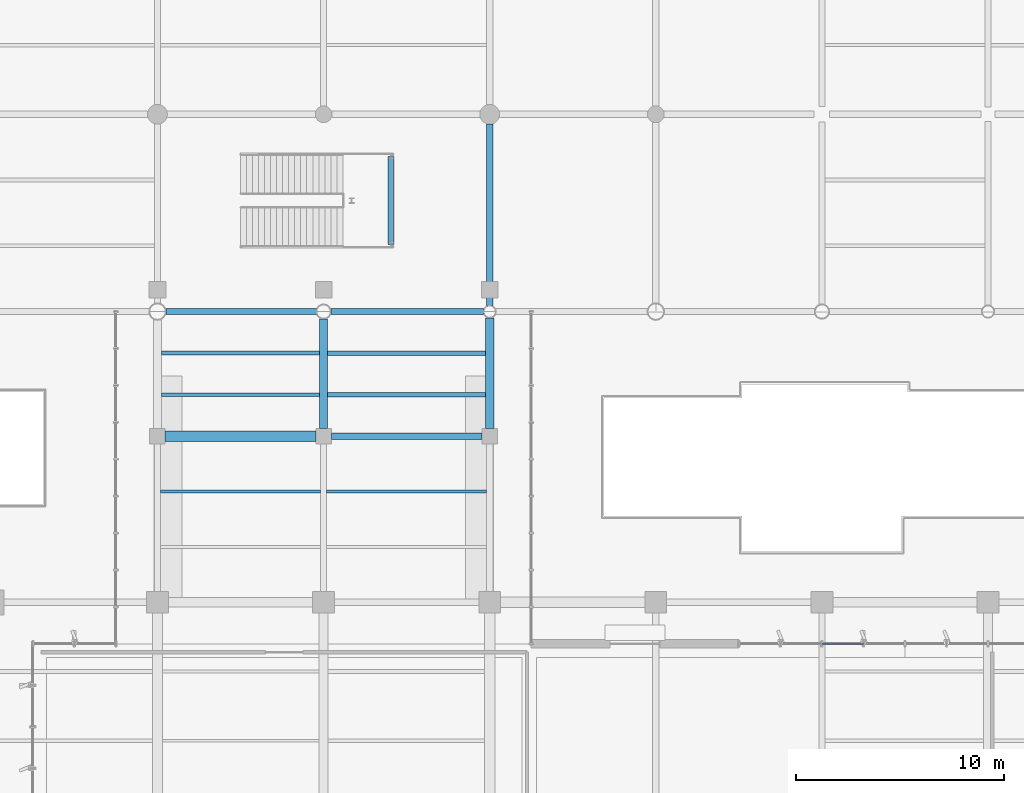
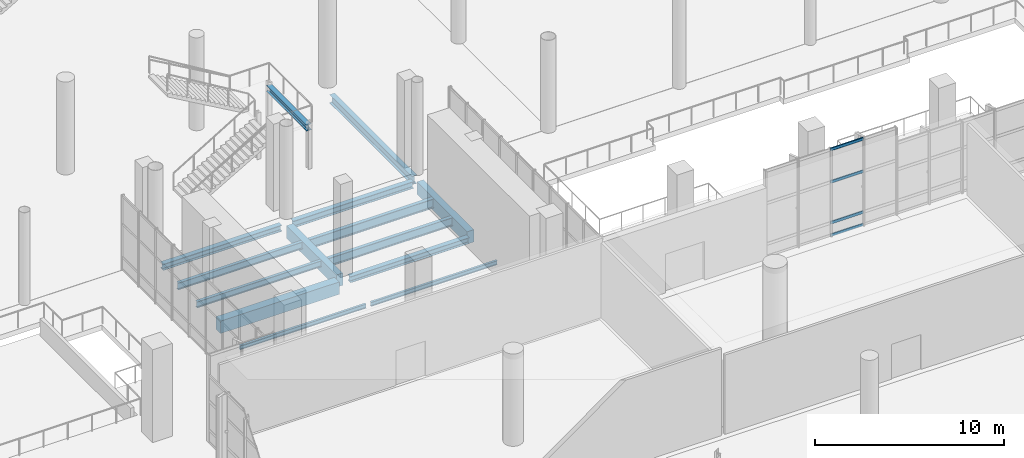
# One storey, part 69 of 163: 14 beams, 4 members, 1 element without a shape of its own.
"""IFC4 building model written with IfcOpenShell, lengths in metres."""

from ifc_helpers import new_model, si_unit, direction, frame, origin, origin_2d, place, context, subcontext, project, spatial, rectangle, hollow_rectangle, i_section, extrude, material, layer, layer_set, material_profile, profile_set, type_object, element, aggregate, save


model = new_model("IFC4")

# Units and contexts
model_context = context("Model", 3, precision=1e-05, world=origin(), true_north=direction((0.0, 1.0)))
body_context = subcontext(model_context, "Body", "Model", "MODEL_VIEW")
ifc_project = project(units=[si_unit("LENGTHUNIT", "METRE"), si_unit("AREAUNIT", "SQUARE_METRE"), si_unit("VOLUMEUNIT", "CUBIC_METRE"), si_unit("PLANEANGLEUNIT", "RADIAN"), si_unit("MASSUNIT", "GRAM", prefix="KILO")], contexts=[model_context])

# Site, building, storey
site_placement = place(None, origin())
site = spatial("IfcSite", under=ifc_project, at=site_placement, CompositionType="ELEMENT")
building_placement = place(site_placement, origin())
building = spatial("IfcBuilding", under=site, at=building_placement, Name="Khorjan Park Terminus", CompositionType="ELEMENT")
storey_placement = place(building_placement, origin())
storey = spatial("IfcBuildingStorey", under=building, at=storey_placement, Name="L00", CompositionType="ELEMENT", Elevation=0.0)

# Beams
ifc_material_1 = material(Name="Steel S355", Category="steel")
ifc_material_profile_1 = material_profile(ifc_material_1, i_section(OverallWidth=0.3, OverallDepth=0.39, WebThickness=0.011, FlangeThickness=0.019, FilletRadius=0.027, at=origin_2d()), Name="HEA 400")
ifc_profile_set_1 = profile_set([ifc_material_profile_1], Name="Steel S355")
beam_type_1 = type_object("IfcBeamType", Name="BM-HEA400", PredefinedType="BEAM", material=ifc_profile_set_1)
beam_1_placement = place(storey_placement, frame((64.37, 96.0, -0.555), z_axis=(1.0, 0.0, 0.0), x_axis=(0.0, 1.0, 0.0)))
element("IfcBeam", 1, at=beam_1_placement, inside=storey, type_object=beam_type_1, Name="Primary floor girder SB-A40 (L00)", PredefinedType="BEAM", context=body_context, shape_type="SweptSolid", body=[
    extrude(i_section(OverallWidth=0.3, OverallDepth=0.39, WebThickness=0.011, FlangeThickness=0.019, FilletRadius=0.027, at=origin_2d()), origin(), (0.0, 0.0, 1.0), 7.26),
])
beam_2_placement = place(storey_placement, frame((67.25, 105.22, 2.605), z_axis=(0.0, 1.0, 0.0), x_axis=(-1.0, 0.0, 0.0)))
element("IfcBeam", 2, at=beam_2_placement, inside=storey, type_object=beam_type_1, Name="Stair PS-01 half-landing support beam SB-A40", PredefinedType="BEAM", context=body_context, shape_type="SweptSolid", body=[
    extrude(i_section(OverallWidth=0.3, OverallDepth=0.39, WebThickness=0.011, FlangeThickness=0.019, FilletRadius=0.027, at=origin_2d()), origin(), (0.0, 0.0, 1.0), 4.26),
])
ifc_material_profile_2 = material_profile(ifc_material_1, i_section(OverallWidth=0.3, OverallDepth=0.44, WebThickness=0.0115, FlangeThickness=0.021, FilletRadius=0.027, at=origin_2d()), Name="HEA 450")
ifc_profile_set_2 = profile_set([ifc_material_profile_2], Name="Steel S355")
beam_type_2 = type_object("IfcBeamType", Name="BM-HEA450", PredefinedType="BEAM", material=ifc_profile_set_2)
beam_3_placement = place(storey_placement, frame((64.3505, 102.0, -0.62), z_axis=(1.0, 0.0, 0.0), x_axis=(0.0, 1.0, 0.0)))
element("IfcBeam", 3, at=beam_3_placement, inside=storey, type_object=beam_type_2, Name="Primary floor girder SB-A45 (L00)", PredefinedType="BEAM", context=body_context, shape_type="SweptSolid", body=[
    extrude(i_section(OverallWidth=0.3, OverallDepth=0.44, WebThickness=0.0115, FlangeThickness=0.021, FilletRadius=0.027, at=origin_2d()), origin(), (0.0, 0.0, 1.0), 7.3495),
])
ifc_material_profile_3 = material_profile(ifc_material_1, i_section(OverallWidth=0.3, OverallDepth=0.4, WebThickness=0.0135, FlangeThickness=0.024, FilletRadius=0.027, at=origin_2d()), Name="HEB 400")
ifc_profile_set_3 = profile_set([ifc_material_profile_3], Name="Steel S355")
beam_type_3 = type_object("IfcBeamType", Name="BM-HEB400", PredefinedType="BEAM", material=ifc_profile_set_3)
beam_4_placement = place(storey_placement, frame((56.4015, 102.0, -0.6), z_axis=(1.0, 0.0, 0.0), x_axis=(0.0, 1.0, 0.0)))
element("IfcBeam", 4, at=beam_4_placement, inside=storey, type_object=beam_type_3, Name="Primary floor girder SB-B40 (L00)", PredefinedType="BEAM", context=body_context, shape_type="SweptSolid", body=[
    extrude(i_section(OverallWidth=0.3, OverallDepth=0.4, WebThickness=0.0135, FlangeThickness=0.024, FilletRadius=0.027, at=origin_2d()), origin(), (0.0, 0.0, 1.0), 7.248),
])
ifc_material_profile_4 = material_profile(ifc_material_1, i_section(OverallWidth=0.3, OverallDepth=0.55, WebThickness=0.015, FlangeThickness=0.029, FilletRadius=0.027, at=origin_2d()), Name="HEB 550")
ifc_profile_set_4 = profile_set([ifc_material_profile_4], Name="Steel S355")
beam_type_4 = type_object("IfcBeamType", Name="BM-HEB550", PredefinedType="BEAM", material=ifc_profile_set_4)
beam_5_placement = place(storey_placement, frame((72.0, 102.3, -0.675), z_axis=(0.0, 1.0, 0.0), x_axis=(-1.0, 0.0, 0.0)))
element("IfcBeam", 5, at=beam_5_placement, inside=storey, type_object=beam_type_4, Name="Primary floor girder SB-B55 (L00)", PredefinedType="BEAM", context=body_context, shape_type="SweptSolid", body=[
    extrude(i_section(OverallWidth=0.3, OverallDepth=0.55, WebThickness=0.015, FlangeThickness=0.029, FilletRadius=0.027, at=origin_2d()), origin(), (0.0, 0.0, 1.0), 8.73),
])
ifc_material_2 = material(Name="Concrete C40/50", Category="concrete")
ifc_material_profile_5 = material_profile(ifc_material_2, rectangle(XDim=0.4, YDim=0.8, at=origin_2d()), Name="RC 400x800")
ifc_profile_set_5 = profile_set([ifc_material_profile_5], Name="Concrete C40/50")
beam_type_5 = type_object("IfcBeamType", Name="BM-RC400x800", PredefinedType="BEAM", material=ifc_profile_set_5)
beam_6_placement = place(storey_placement, frame((64.0, 96.37, -0.76), z_axis=(0.0, 1.0, 0.0), x_axis=(-1.0, 0.0, 0.0)))
element("IfcBeam", 6, at=beam_6_placement, inside=storey, type_object=beam_type_5, Name="Primary floor girder GB-08B (L00)", PredefinedType="BEAM", context=body_context, shape_type="SweptSolid", body=[
    extrude(rectangle(XDim=0.4, YDim=0.8, at=origin_2d()), origin(), (0.0, 0.0, 1.0), 5.2795),
])
beam_7_placement = place(storey_placement, frame((72.0, 96.37, -0.76), z_axis=(0.0, 1.0, 0.0), x_axis=(-1.0, 0.0, 0.0)))
element("IfcBeam", 7, at=beam_7_placement, inside=storey, type_object=beam_type_5, Name="Primary floor girder GB-08B (L00)", PredefinedType="BEAM", context=body_context, shape_type="SweptSolid", body=[
    extrude(rectangle(XDim=0.4, YDim=0.8, at=origin_2d()), origin(), (0.0, 0.0, 1.0), 5.33),
])
ifc_material_profile_6 = material_profile(ifc_material_2, rectangle(XDim=0.5, YDim=0.8, at=origin_2d()), Name="RC 500x800")
ifc_profile_set_6 = profile_set([ifc_material_profile_6], Name="Concrete C40/50")
beam_type_6 = type_object("IfcBeamType", Name="BM-RC500x800", PredefinedType="BEAM", material=ifc_profile_set_6)
beam_8_placement = place(storey_placement, frame((56.37, 96.0, -0.76), z_axis=(1.0, 0.0, 0.0), x_axis=(0.0, 1.0, 0.0)))
element("IfcBeam", 8, at=beam_8_placement, inside=storey, type_object=beam_type_6, Name="Primary floor girder GB-08 (L00)", PredefinedType="BEAM", context=body_context, shape_type="SweptSolid", body=[
    extrude(rectangle(XDim=0.5, YDim=0.8, at=origin_2d()), origin(), (0.0, 0.0, 1.0), 7.26),
])
ifc_material_profile_7 = material_profile(ifc_material_1, i_section(OverallWidth=0.135, OverallDepth=0.27, WebThickness=0.0066, FlangeThickness=0.0102, FilletRadius=0.015, at=origin_2d()), Name="IPE 270")
ifc_profile_set_7 = profile_set([ifc_material_profile_7], Name="Steel S355")
beam_type_7 = type_object("IfcBeamType", Name="JS-IPE270", PredefinedType="JOIST", material=ifc_profile_set_7)
for number, where, z_axis, x_axis, name in (
    (9, (56.15, 93.3333, -0.495), (1.0, 0.0, 0.0), (0.0, 1.0, 0.0), "Secondary composite floor joist SJ-27 (L00)"),
    (10, (64.15, 93.3333, -0.495), (1.0, 0.0, 0.0), (0.0, 1.0, 0.0), "Secondary composite floor joist SJ-27 (L00)"),
):
    element("IfcBeam", number, at=place(storey_placement, frame(where, z_axis=z_axis, x_axis=x_axis)), inside=storey, type_object=beam_type_7, Name=name, PredefinedType="JOIST", context=body_context, shape_type="SweptSolid", body=[
        extrude(i_section(OverallWidth=0.135, OverallDepth=0.27, WebThickness=0.0066, FlangeThickness=0.0102, FilletRadius=0.015, at=origin_2d()), origin(), (0.0, 0.0, 1.0), 7.7),
    ])
ifc_material_profile_8 = material_profile(ifc_material_1, i_section(OverallWidth=0.18, OverallDepth=0.4, WebThickness=0.0086, FlangeThickness=0.0135, FilletRadius=0.021, at=origin_2d()), Name="IPE 400")
ifc_profile_set_8 = profile_set([ifc_material_profile_8], Name="Steel S355")
beam_type_8 = type_object("IfcBeamType", Name="JS-IPE400", PredefinedType="JOIST", material=ifc_profile_set_8)
beam_9_placement = place(storey_placement, frame((56.2, 98.0, -0.56), z_axis=(1.0, 0.0, 0.0), x_axis=(0.0, 1.0, 0.0)))
element("IfcBeam", 11, at=beam_9_placement, inside=storey, type_object=beam_type_8, Name="Secondary composite floor joist SJ-40 (L00)", PredefinedType="JOIST", context=body_context, shape_type="SweptSolid", body=[
    extrude(i_section(OverallWidth=0.18, OverallDepth=0.4, WebThickness=0.0086, FlangeThickness=0.0135, FilletRadius=0.021, at=origin_2d()), origin(), (0.0, 0.0, 1.0), 7.6),
])
ifc_material_profile_9 = material_profile(ifc_material_1, i_section(OverallWidth=0.19, OverallDepth=0.45, WebThickness=0.0094, FlangeThickness=0.0146, FilletRadius=0.021, at=origin_2d()), Name="IPE 450")
ifc_profile_set_9 = profile_set([ifc_material_profile_9], Name="Steel S355")
beam_type_9 = type_object("IfcBeamType", Name="JS-IPE450", PredefinedType="JOIST", material=ifc_profile_set_9)
beam_10_placement = place(storey_placement, frame((56.2, 100.0, -0.585), z_axis=(1.0, 0.0, 0.0), x_axis=(0.0, 1.0, 0.0)))
element("IfcBeam", 12, at=beam_10_placement, inside=storey, type_object=beam_type_9, Name="Secondary composite floor joist SJ-45 (L00)", PredefinedType="JOIST", context=body_context, shape_type="SweptSolid", body=[
    extrude(i_section(OverallWidth=0.19, OverallDepth=0.45, WebThickness=0.0094, FlangeThickness=0.0146, FilletRadius=0.021, at=origin_2d()), origin(), (0.0, 0.0, 1.0), 7.6),
])
ifc_material_profile_10 = material_profile(ifc_material_1, i_section(OverallWidth=0.21, OverallDepth=0.55, WebThickness=0.0111, FlangeThickness=0.0172, FilletRadius=0.024, at=origin_2d()), Name="IPE 550")
ifc_profile_set_10 = profile_set([ifc_material_profile_10], Name="Steel S355")
beam_type_10 = type_object("IfcBeamType", Name="JS-IPE550", PredefinedType="JOIST", material=ifc_profile_set_10)
beam_11_placement = place(storey_placement, frame((64.2, 98.0, -0.635), z_axis=(1.0, 0.0, 0.0), x_axis=(0.0, 1.0, 0.0)))
element("IfcBeam", 13, at=beam_11_placement, inside=storey, type_object=beam_type_10, Name="Secondary composite floor joist SJ-55 (L00)", PredefinedType="JOIST", context=body_context, shape_type="SweptSolid", body=[
    extrude(i_section(OverallWidth=0.21, OverallDepth=0.55, WebThickness=0.0111, FlangeThickness=0.0172, FilletRadius=0.024, at=origin_2d()), origin(), (0.0, 0.0, 1.0), 7.6),
])
ifc_material_profile_11 = material_profile(ifc_material_1, i_section(OverallWidth=0.22, OverallDepth=0.6, WebThickness=0.012, FlangeThickness=0.019, FilletRadius=0.024, at=origin_2d()), Name="IPE 600")
ifc_profile_set_11 = profile_set([ifc_material_profile_11], Name="Steel S355")
beam_type_11 = type_object("IfcBeamType", Name="JS-IPE600", PredefinedType="JOIST", material=ifc_profile_set_11)
beam_12_placement = place(storey_placement, frame((64.2, 100.0, -0.66), z_axis=(1.0, 0.0, 0.0), x_axis=(0.0, 1.0, 0.0)))
element("IfcBeam", 14, at=beam_12_placement, inside=storey, type_object=beam_type_11, Name="Secondary composite floor joist SJ-60 (L00)", PredefinedType="JOIST", context=body_context, shape_type="SweptSolid", body=[
    extrude(i_section(OverallWidth=0.22, OverallDepth=0.6, WebThickness=0.012, FlangeThickness=0.019, FilletRadius=0.024, at=origin_2d()), origin(), (0.0, 0.0, 1.0), 7.6),
])

# Curtain wall, members
ifc_material_3 = material(Name="Anodized Bronze Aluminium", Category="aluminium")
ifc_layer = layer(ifc_material_3, 0.22)
ifc_layer_set = layer_set([ifc_layer], Name="Anodized Bronze Aluminium")
curtain_wall_type = type_object("IfcCurtainWallType", Name="CW-CONC-A", PredefinedType="NOTDEFINED", material=ifc_layer_set)
curtain_wall_placement = place(storey_placement, origin())
curtain_wall = element("IfcCurtainWall", 15, at=curtain_wall_placement, inside=storey, type_object=curtain_wall_type, Name="Unitized curtain wall CW-A (CW-V2-N-L00-04)", PredefinedType="NOTDEFINED")
ifc_material_profile_12 = material_profile(ifc_material_3, hollow_rectangle(XDim=0.075, YDim=0.185, WallThickness=0.005, InnerFilletRadius=0.005, OuterFilletRadius=0.01, at=origin_2d()), Name="ALT 75x185x5")
ifc_profile_set_12 = profile_set([ifc_material_profile_12], Name="Anodized Bronze Aluminium")
member_type = type_object("IfcMemberType", Name="TR-ALT-185", PredefinedType="USERDEFINED", material=ifc_profile_set_12)
member_1_placement = place(storey_placement, frame((90.0, 86.0, 0.04), z_axis=(-1.0, 0.0, 0.0), x_axis=(0.0, -1.0, 0.0)))
member_1 = element("IfcMember", 16, at=member_1_placement, type_object=member_type, Name="Curtain-wall transom TR-18 (CW-V2-N-L00-04-1-1)", ObjectType="TRANSOM", PredefinedType="USERDEFINED", context=body_context, shape_type="SweptSolid", body=[
    extrude(hollow_rectangle(XDim=0.075, YDim=0.185, WallThickness=0.005, InnerFilletRadius=0.005, OuterFilletRadius=0.01, at=origin_2d()), origin(), (0.0, 0.0, 1.0), 2.0),
])
member_2_placement = place(storey_placement, frame((90.0, 86.0, 0.85), z_axis=(-1.0, 0.0, 0.0), x_axis=(0.0, -1.0, 0.0)))
member_2 = element("IfcMember", 17, at=member_2_placement, type_object=member_type, Name="Curtain-wall transom TR-18 (CW-V2-N-L00-04-1-2)", ObjectType="TRANSOM", PredefinedType="USERDEFINED", context=body_context, shape_type="SweptSolid", body=[
    extrude(hollow_rectangle(XDim=0.075, YDim=0.185, WallThickness=0.005, InnerFilletRadius=0.005, OuterFilletRadius=0.01, at=origin_2d()), origin(), (0.0, 0.0, 1.0), 2.0),
])
member_3_placement = place(storey_placement, frame((90.0, 86.0, 3.4844), z_axis=(-1.0, 0.0, 0.0), x_axis=(0.0, -1.0, 0.0)))
member_3 = element("IfcMember", 18, at=member_3_placement, type_object=member_type, Name="Curtain-wall transom TR-18 (CW-V2-N-L00-04-1-3)", ObjectType="TRANSOM", PredefinedType="USERDEFINED", context=body_context, shape_type="SweptSolid", body=[
    extrude(hollow_rectangle(XDim=0.075, YDim=0.185, WallThickness=0.005, InnerFilletRadius=0.005, OuterFilletRadius=0.01, at=origin_2d()), origin(), (0.0, 0.0, 1.0), 2.0),
])
member_4_placement = place(storey_placement, frame((90.0, 86.0, 5.58), z_axis=(-1.0, 0.0, 0.0), x_axis=(0.0, -1.0, 0.0)))
member_4 = element("IfcMember", 19, at=member_4_placement, type_object=member_type, Name="Curtain-wall transom TR-18 (CW-V2-N-L00-04-1-4)", ObjectType="TRANSOM", PredefinedType="USERDEFINED", context=body_context, shape_type="SweptSolid", body=[
    extrude(hollow_rectangle(XDim=0.075, YDim=0.185, WallThickness=0.005, InnerFilletRadius=0.005, OuterFilletRadius=0.01, at=origin_2d()), origin(), (0.0, 0.0, 1.0), 2.0),
])
aggregate(curtain_wall, [member_1, member_2, member_3, member_4])

save(model, "model.ifc")
